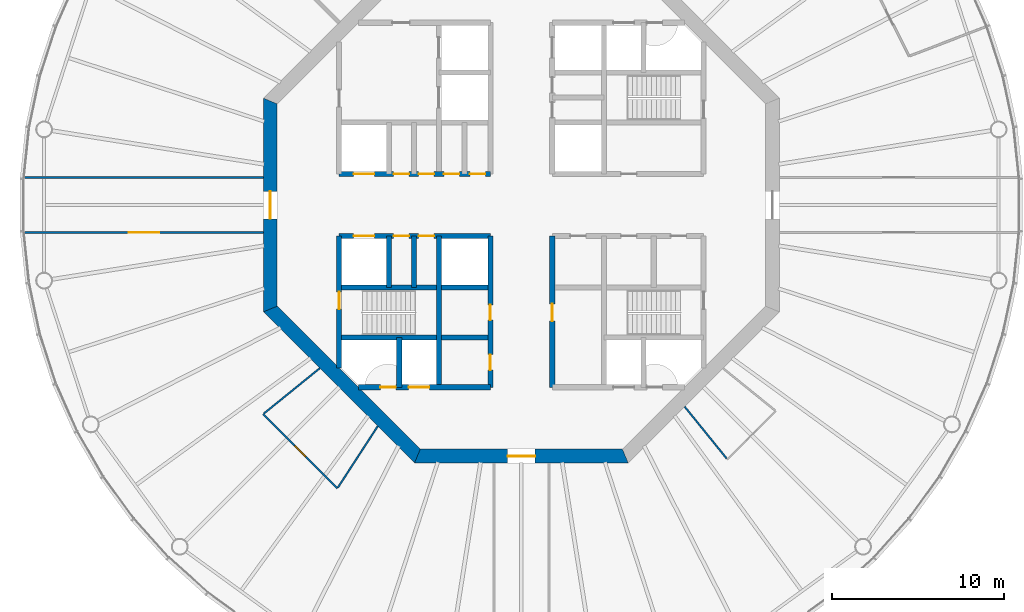
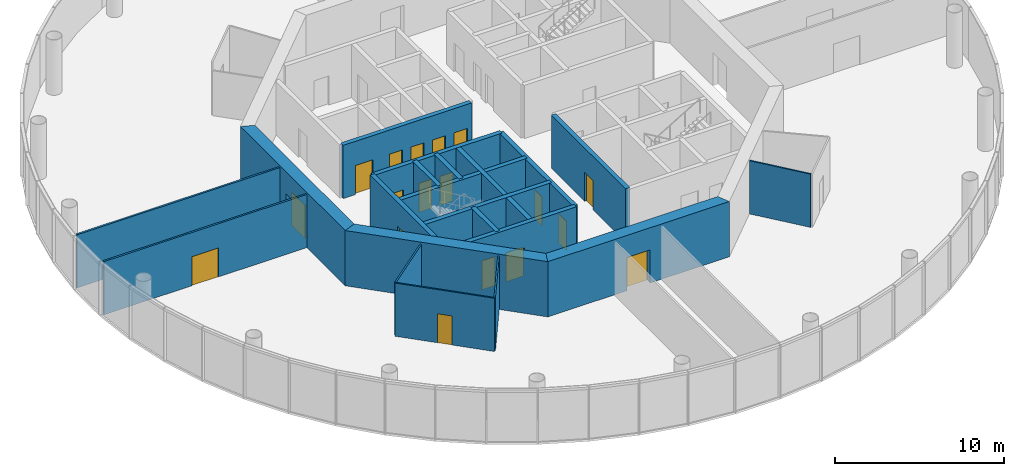
# One storey, part 3 of 12: 21 walls, 18 doors, 18 openings.
"""IFC4 building model written with IfcOpenShell, lengths in metres."""

import ifcopenshell
import ifcopenshell.guid

model = None  # the IFC model being written
_history = None  # IfcOwnerHistory: only IFC2X3 demands one
_inside = {}  # id of a spatial element -> (the spatial element, [elements in it])
_under = {}  # id of a project, library or spatial element -> (it, [spatial elements below it])
_declared = {}  # id of a project -> (the project, [libraries it declares])
_typed = {}  # id of a type object -> (the type object, [elements of that type])
_made_of = {}  # id of a material, layer set ... -> (it, [elements and type objects made of it])


def new_model(schema):
    """Start an empty IFC model of exactly this schema.

    Asked for "IFC4X3", IfcOpenShell would pick the latest addendum, in which some entities
    have other attributes; the version numbers below select the first issue.
    IFC2X3 requires an IfcOwnerHistory on every rooted entity: one is made here for all.
    """
    global model, _history
    if schema == "IFC4X3":
        model = ifcopenshell.file(schema_version=(4, 3, 0, 0))
    else:
        model = ifcopenshell.file(schema=schema)
    _inside.clear()
    _under.clear()
    _declared.clear()
    _typed.clear()
    _made_of.clear()
    _history = None
    if model.schema == "IFC2X3":
        org = make("IfcOrganization", Name="unknown")
        user = make(
            "IfcPersonAndOrganization",
            ThePerson=make("IfcPerson", FamilyName="unknown"),
            TheOrganization=org,
        )
        app = make(
            "IfcApplication",
            ApplicationDeveloper=org,
            Version="unknown",
            ApplicationFullName="unknown",
            ApplicationIdentifier="unknown",
        )
        _history = make(
            "IfcOwnerHistory",
            OwningUser=user,
            OwningApplication=app,
            ChangeAction="ADDED",
            CreationDate=0,
        )
    return model


def make(cls, **values):
    """One entity of the class cls with the attributes given. An attribute that is None is left unset."""
    return model.create_entity(
        cls, **{name: value for name, value in values.items() if value is not None}
    )


def rooted(cls, **values):
    """An entity with a GlobalId (a new one), such as an element, a storey or a relation."""
    return make(cls, GlobalId=ifcopenshell.guid.new(), OwnerHistory=_history, **values)


def si_unit(unit_type, name, prefix=None):
    """IfcSIUnit, for example si_unit("LENGTHUNIT", "METRE", prefix="MILLI")."""
    return make("IfcSIUnit", UnitType=unit_type, Prefix=prefix, Name=name)


def assignment(units):
    """IfcUnitAssignment: the units of a project."""
    return None if units is None else make("IfcUnitAssignment", Units=units)


def point(xyz):
    """IfcCartesianPoint."""
    return None if xyz is None else make("IfcCartesianPoint", Coordinates=xyz)


def direction(xyz):
    """IfcDirection."""
    return None if xyz is None else make("IfcDirection", DirectionRatios=xyz)


def frame(location, z_axis=None, x_axis=None):
    """IfcAxis2Placement3D, a coordinate frame: its origin and axes. An axis left out is left unset."""
    return make(
        "IfcAxis2Placement3D",
        Location=point(location),
        Axis=direction(z_axis),
        RefDirection=direction(x_axis),
    )


def frame_2d(location, x_axis=None):
    """IfcAxis2Placement2D, a coordinate frame in the plane: its origin and x axis."""
    return make(
        "IfcAxis2Placement2D", Location=point(location), RefDirection=direction(x_axis)
    )


def origin():
    """The frame at (0, 0, 0) with its axes left unset."""
    return frame((0.0, 0.0, 0.0))


def place(relative_to, where):
    """IfcLocalPlacement: puts the frame where relative to a parent placement (None: the world)."""
    return make(
        "IfcLocalPlacement", PlacementRelTo=relative_to, RelativePlacement=where
    )


def context(
    kind, dimensions, precision=None, world=None, true_north=None, identifier=None
):
    """IfcGeometricRepresentationContext, for example the 3D "Model" context."""
    return make(
        "IfcGeometricRepresentationContext",
        ContextIdentifier=identifier,
        ContextType=kind,
        CoordinateSpaceDimension=dimensions,
        Precision=precision,
        WorldCoordinateSystem=world,
        TrueNorth=true_north,
    )


def subcontext(parent, identifier, kind, view, scale=None):
    """IfcGeometricRepresentationSubContext, for example "Body" below "Model"."""
    return make(
        "IfcGeometricRepresentationSubContext",
        ContextIdentifier=identifier,
        ContextType=kind,
        ParentContext=parent,
        TargetScale=scale,
        TargetView=view,
    )


def project(units=None, contexts=None):
    """IfcProject with its units and contexts."""
    return rooted(
        "IfcProject",
        Name="project",
        RepresentationContexts=contexts,
        UnitsInContext=assignment(units),
    )


def spatial(cls, under=None, at=None, **own):
    """A site, building, storey or space (cls), placed at a placement, below another one or the project."""
    s = rooted(cls, ObjectPlacement=at, **own)
    if under is not None:
        _under.setdefault(under.id(), (under, []))[1].append(s)
    return s


def polyline(points):
    """IfcPolyline through the points."""
    return make("IfcPolyline", Points=[point(p) for p in points])


def profile(cls, at=None, kind="AREA", **sizes):
    """A parametric profile (cls). Its sizes go by their IFC names, for example OverallWidth=200.0."""
    return make(cls, ProfileType=kind, Position=at, **sizes)


def rectangle(**sizes):
    """IfcRectangleProfileDef."""
    return profile("IfcRectangleProfileDef", **sizes)


def outline(outer, holes=None, kind="AREA"):
    """IfcArbitraryClosedProfileDef: a profile drawn as a closed curve; with holes, ...WithVoids."""
    if holes is None:
        return make("IfcArbitraryClosedProfileDef", ProfileType=kind, OuterCurve=outer)
    return make(
        "IfcArbitraryProfileDefWithVoids",
        ProfileType=kind,
        OuterCurve=outer,
        InnerCurves=holes,
    )


def extrude(swept, where, along, depth):
    """IfcExtrudedAreaSolid: the profile swept, set in the frame where, extruded along a direction by depth."""
    return make(
        "IfcExtrudedAreaSolid",
        SweptArea=swept,
        Position=where,
        ExtrudedDirection=direction(along),
        Depth=depth,
    )


def shape(context_of_items, identifier, shape_type, items):
    """IfcShapeRepresentation: the items that make up one representation, for example the "Body"."""
    return make(
        "IfcShapeRepresentation",
        ContextOfItems=context_of_items,
        RepresentationIdentifier=identifier,
        RepresentationType=shape_type,
        Items=items,
    )


def material(Name=None, Category=None):
    """IfcMaterial."""
    return make("IfcMaterial", Name=Name, Category=Category)


def layer(
    of_material, thickness, ventilated=None, Name=None, Category=None, Priority=None
):
    """IfcMaterialLayer: one layer of a wall or slab, of a material (None: an air gap)."""
    return make(
        "IfcMaterialLayer",
        Material=of_material,
        LayerThickness=thickness,
        IsVentilated=ventilated,
        Name=Name,
        Category=Category,
        Priority=Priority,
    )


def layer_set(layers, Name=None):
    """IfcMaterialLayerSet."""
    return make("IfcMaterialLayerSet", MaterialLayers=layers, LayerSetName=Name)


def made_of(thing, what):
    """Note that an element or type object is made of a material, layer set ...; save() writes the relation."""
    if what is not None:
        _made_of.setdefault(what.id(), (what, []))[1].append(thing)
    return thing


def type_object(cls, material=None, **own):
    """A type object (cls), such as IfcWallType, which elements share."""
    return made_of(rooted(cls, **own), material)


def element(
    cls,
    number,
    at=None,
    inside=None,
    cuts=None,
    type_object=None,
    material=None,
    context=None,
    identifier="Body",
    shape_type=None,
    held_by="IfcProductDefinitionShape",
    body=None,
    shapes=None,
    **own,
):
    """One element of the class cls, such as IfcWall. Its Tag is "e" and its number.

    at: its placement. inside: the storey or other place that contains it. cuts: it is an
    opening in that element (IfcRelVoidsElement). A single representation is given by context,
    identifier, shape_type and body (its items); several are given by shapes. held_by: the class
    of the entity that holds the representations. save() writes the other relations.
    """
    e = rooted(cls, Tag="e%d" % number, ObjectPlacement=at, **own)
    if body is not None:
        shapes = [shape(context, identifier, shape_type, body)]
    if shapes is not None:
        e.Representation = make(held_by, Representations=shapes)
    if inside is not None:
        _inside.setdefault(inside.id(), (inside, []))[1].append(e)
    if cuts is not None:
        rooted(
            "IfcRelVoidsElement", RelatingBuildingElement=cuts, RelatedOpeningElement=e
        )
    if type_object is not None:
        _typed.setdefault(type_object.id(), (type_object, []))[1].append(e)
    return made_of(e, material)


def fill(opening, filler):
    """IfcRelFillsElement: the door or window that sits in an opening."""
    return rooted(
        "IfcRelFillsElement",
        RelatingOpeningElement=opening,
        RelatedBuildingElement=filler,
    )


def aggregate(whole, parts):
    """IfcRelAggregates: a whole, such as a stair, and the parts it consists of."""
    return rooted("IfcRelAggregates", RelatingObject=whole, RelatedObjects=parts)


def save(model, path):
    """Write the relations noted so far, then the file.

    IfcRelAggregates (storeys below a building ...), IfcRelContainedInSpatialStructure (elements
    in a storey), IfcRelDefinesByType, IfcRelAssociatesMaterial and IfcRelDeclares: one each for
    every whole, place, type object, material and project.
    """
    for whole, parts in _under.values():
        aggregate(whole, parts)
    for where, things in _inside.values():
        rooted(
            "IfcRelContainedInSpatialStructure",
            RelatedElements=things,
            RelatingStructure=where,
        )
    for kind, things in _typed.values():
        rooted("IfcRelDefinesByType", RelatedObjects=things, RelatingType=kind)
    for what, things in _made_of.values():
        rooted("IfcRelAssociatesMaterial", RelatedObjects=things, RelatingMaterial=what)
    for by, libraries in _declared.values():
        rooted("IfcRelDeclares", RelatingContext=by, RelatedDefinitions=libraries)
    model.write(path)


model = new_model("IFC4")

# Units and contexts
model_context = context("Model", 3, precision=1e-05, world=origin(), true_north=direction((0.0, 1.0)))
body_context = subcontext(model_context, "Body", "Model", "MODEL_VIEW")
ifc_project = project(units=[si_unit("LENGTHUNIT", "METRE"), si_unit("AREAUNIT", "SQUARE_METRE"), si_unit("VOLUMEUNIT", "CUBIC_METRE"), si_unit("PLANEANGLEUNIT", "RADIAN"), si_unit("MASSUNIT", "GRAM", prefix="KILO")], contexts=[model_context])

# Site, building, storey
site_placement = place(None, origin())
site = spatial("IfcSite", under=ifc_project, at=site_placement, CompositionType="ELEMENT")
building_placement = place(site_placement, origin())
building = spatial("IfcBuilding", under=site, at=building_placement, Name="Entoto Ring Tower", CompositionType="ELEMENT")
storey_placement = place(building_placement, frame((0.0, 0.0, 322.0)))
storey = spatial("IfcBuildingStorey", under=building, at=storey_placement, Name="L74", CompositionType="ELEMENT", Elevation=322.0)

# Wall, opening, door
ifc_material_1 = material(Name="Concrete C40/50", Category="concrete")
ifc_layer_1 = layer(ifc_material_1, 0.300048828125)
ifc_layer_set_1 = layer_set([ifc_layer_1], Name="Concrete C40/50")
wall_type_1 = type_object("IfcWallType", Name="Core enclosure wall 300 mm reinforced concrete", PredefinedType="SOLIDWALL", material=ifc_layer_set_1)
wall_1_placement = place(storey_placement, frame((91.800048828125, 69.39990234375, 0.0), z_axis=(0.0, 0.0, 1.0), x_axis=(0.0, 1.0, 0.0)))
wall_1 = element("IfcWall", 1, at=wall_1_placement, inside=storey, type_object=wall_type_1, Name="wall-L74-008", PredefinedType="SOLIDWALL", context=body_context, shape_type="SweptSolid", body=[
    extrude(rectangle(XDim=8.800048828125, YDim=0.300048828125, at=frame_2d((4.39990234375, 0.0))), origin(), (0.0, 0.0, 1.0), 3.85009765625),
])
opening_1_placement = place(wall_1_placement, frame((3.85009765625, 0.0, 0.0)))
opening_1 = element("IfcOpeningElement", 2, at=opening_1_placement, cuts=wall_1, Name="Opening K-64", PredefinedType="OPENING", context=body_context, shape_type="SweptSolid", body=[
    extrude(rectangle(XDim=1.0, YDim=2.10009765625, at=frame_2d((0.5, 1.050048828125))), frame((0.0, 0.16015625, 0.0), z_axis=(0.0, -1.0, 0.0), x_axis=(1.0, 0.0, 0.0)), (0.0, 0.0, 1.0), 0.320068359375),
])
ifc_material_2 = material(Name="Steel door leaf, fire rated", Category="steel")
ifc_layer_2 = layer(ifc_material_2, 0.050048828125)
ifc_layer_set_2 = layer_set([ifc_layer_2], Name="Steel door leaf, fire rated")
door_type_1 = type_object("IfcDoorType", Name="Accessible door 1000 x 2100 single leaf", OperationType="NOTDEFINED", PredefinedType="DOOR", material=ifc_layer_set_2)
door_1_placement = place(opening_1_placement, frame((1.0, 0.0, 0.0), z_axis=(0.0, 0.0, 1.0), x_axis=(-1.0, 0.0, 0.0)))
door_1 = element("IfcDoor", 3, at=door_1_placement, inside=storey, type_object=door_type_1, Name="Door K-64", OperationType="SINGLE_SWING_LEFT", OverallHeight=2.10009765625, OverallWidth=1.0, PredefinedType="DOOR", context=body_context, shape_type="SweptSolid", body=[
    extrude(rectangle(XDim=1.0, YDim=2.10009765625, at=frame_2d((0.5, 1.050048828125))), frame((0.0, 0.02490234375, 0.0), z_axis=(0.0, -1.0, 0.0), x_axis=(1.0, 0.0, 0.0)), (0.0, 0.0, 1.0), 0.050048828125),
])
fill(opening_1, door_1)

# Wall, openings, doors
wall_2_placement = place(storey_placement, frame((88.199951171875, 69.39990234375, 0.0), z_axis=(0.0, 0.0, 1.0), x_axis=(0.0, 1.0, 0.0)))
wall_2 = element("IfcWall", 4, at=wall_2_placement, inside=storey, type_object=wall_type_1, Name="wall-L74-010", PredefinedType="SOLIDWALL", context=body_context, shape_type="SweptSolid", body=[
    extrude(rectangle(XDim=8.800048828125, YDim=0.300048828125, at=frame_2d((4.39990234375, 0.0))), origin(), (0.0, 0.0, 1.0), 3.85009765625),
])
opening_2_placement = place(wall_2_placement, frame((3.89990234375, 0.0, 0.0)))
opening_2 = element("IfcOpeningElement", 5, at=opening_2_placement, cuts=wall_2, Name="Opening K-21", PredefinedType="OPENING", context=body_context, shape_type="SweptSolid", body=[
    extrude(rectangle(XDim=0.89990234375, YDim=2.10009765625, at=frame_2d((0.449951171875, 1.050048828125))), frame((0.0, 0.16015625, 0.0), z_axis=(0.0, -1.0, 0.0), x_axis=(1.0, 0.0, 0.0)), (0.0, 0.0, 1.0), 0.320068359375),
])
opening_3_placement = place(wall_2_placement, frame((1.0, 0.0, 0.0)))
opening_3 = element("IfcOpeningElement", 6, at=opening_3_placement, cuts=wall_2, Name="Opening K-69", PredefinedType="OPENING", context=body_context, shape_type="SweptSolid", body=[
    extrude(rectangle(XDim=0.89990234375, YDim=2.10009765625, at=frame_2d((0.449951171875, 1.050048828125))), frame((0.0, 0.16015625, 0.0), z_axis=(0.0, -1.0, 0.0), x_axis=(1.0, 0.0, 0.0)), (0.0, 0.0, 1.0), 0.320068359375),
])
ifc_material_3 = material(Name="Steel door leaf, fire rated", Category="steel")
ifc_layer_3 = layer(ifc_material_3, 0.050048828125)
ifc_layer_set_3 = layer_set([ifc_layer_3], Name="Steel door leaf, fire rated")
door_type_2 = type_object("IfcDoorType", Name="Core door 900 x 2100 single leaf", OperationType="NOTDEFINED", PredefinedType="DOOR", material=ifc_layer_set_3)
door_2_placement = place(opening_2_placement, origin())
door_2 = element("IfcDoor", 7, at=door_2_placement, inside=storey, type_object=door_type_2, Name="Door K-21", OperationType="SINGLE_SWING_RIGHT", OverallHeight=2.10009765625, OverallWidth=0.89990234375, PredefinedType="DOOR", context=body_context, shape_type="SweptSolid", body=[
    extrude(rectangle(XDim=0.89990234375, YDim=2.10009765625, at=frame_2d((0.449951171875, 1.050048828125))), frame((0.0, 0.02490234375, 0.0), z_axis=(0.0, -1.0, 0.0), x_axis=(1.0, 0.0, 0.0)), (0.0, 0.0, 1.0), 0.050048828125),
])
fill(opening_2, door_2)
door_3_placement = place(opening_3_placement, origin())
door_3 = element("IfcDoor", 8, at=door_3_placement, inside=storey, type_object=door_type_2, Name="Door K-69", OperationType="SINGLE_SWING_RIGHT", OverallHeight=2.10009765625, OverallWidth=0.89990234375, PredefinedType="DOOR", context=body_context, shape_type="SweptSolid", body=[
    extrude(rectangle(XDim=0.89990234375, YDim=2.10009765625, at=frame_2d((0.449951171875, 1.050048828125))), frame((0.0, 0.02490234375, 0.0), z_axis=(0.0, -1.0, 0.0), x_axis=(1.0, 0.0, 0.0)), (0.0, 0.0, 1.0), 0.050048828125),
])
fill(opening_3, door_3)

# Walls
wall_3_placement = place(storey_placement, frame((85.199951171875, 69.39990234375, 0.0), z_axis=(0.0, 0.0, 1.0), x_axis=(0.0, 1.0, 0.0)))
element("IfcWall", 9, at=wall_3_placement, inside=storey, type_object=wall_type_1, Name="wall-L74-013", PredefinedType="SOLIDWALL", context=body_context, shape_type="SweptSolid", body=[
    extrude(rectangle(XDim=8.800048828125, YDim=0.300048828125, at=frame_2d((4.39990234375, 0.0))), origin(), (0.0, 0.0, 1.0), 3.85009765625),
])
wall_4_placement = place(storey_placement, frame((83.75, 75.199951171875, 0.0), z_axis=(0.0, 0.0, 1.0), x_axis=(0.0, 1.0, 0.0)))
element("IfcWall", 10, at=wall_4_placement, inside=storey, type_object=wall_type_1, Name="wall-L74-015", PredefinedType="SOLIDWALL", context=body_context, shape_type="SweptSolid", body=[
    extrude(rectangle(XDim=3.0, YDim=0.300048828125, at=frame_2d((1.5, 0.0))), origin(), (0.0, 0.0, 1.0), 3.85009765625),
])
wall_5_placement = place(storey_placement, frame((82.89990234375, 69.39990234375, 0.0), z_axis=(0.0, 0.0, 1.0), x_axis=(0.0, 1.0, 0.0)))
element("IfcWall", 11, at=wall_5_placement, inside=storey, type_object=wall_type_1, Name="wall-L74-017", PredefinedType="SOLIDWALL", context=body_context, shape_type="SweptSolid", body=[
    extrude(rectangle(XDim=2.900146484375, YDim=0.300048828125, at=frame_2d((1.4501953125, 0.0))), origin(), (0.0, 0.0, 1.0), 3.85009765625),
])
wall_6_placement = place(storey_placement, frame((82.300048828125, 75.199951171875, 0.0), z_axis=(0.0, 0.0, 1.0), x_axis=(0.0, 1.0, 0.0)))
element("IfcWall", 12, at=wall_6_placement, inside=storey, type_object=wall_type_1, Name="wall-L74-018", PredefinedType="SOLIDWALL", context=body_context, shape_type="SweptSolid", body=[
    extrude(rectangle(XDim=3.0, YDim=0.300048828125, at=frame_2d((1.5, 0.0))), origin(), (0.0, 0.0, 1.0), 3.85009765625),
])

# Wall, opening, door
wall_7_placement = place(storey_placement, frame((79.39990234375, 70.518310546875, 0.0), z_axis=(0.0, 0.0, 1.0), x_axis=(0.0, 1.0, 0.0)))
wall_7 = element("IfcWall", 13, at=wall_7_placement, inside=storey, type_object=wall_type_1, Name="wall-L74-020", PredefinedType="SOLIDWALL", context=body_context, shape_type="SweptSolid", body=[
    extrude(rectangle(XDim=7.681640625, YDim=0.300048828125, at=frame_2d((3.8408203125, 0.0))), origin(), (0.0, 0.0, 1.0), 3.85009765625),
])
opening_4_placement = place(wall_7_placement, frame((3.431884765625, 0.0, 0.0)))
opening_4 = element("IfcOpeningElement", 14, at=opening_4_placement, cuts=wall_7, Name="Opening K-27", PredefinedType="OPENING", context=body_context, shape_type="SweptSolid", body=[
    extrude(rectangle(XDim=1.0, YDim=2.10009765625, at=frame_2d((0.5, 1.050048828125))), frame((0.0, 0.16015625, 0.0), z_axis=(0.0, -1.0, 0.0), x_axis=(1.0, 0.0, 0.0)), (0.0, 0.0, 1.0), 0.320068359375),
])
ifc_material_4 = material(Name="Steel door leaf, fire rated", Category="steel")
ifc_layer_4 = layer(ifc_material_4, 0.050048828125)
ifc_layer_set_4 = layer_set([ifc_layer_4], Name="Steel door leaf, fire rated")
door_type_3 = type_object("IfcDoorType", Name="Fire door FD60 1000 x 2100 single leaf", OperationType="NOTDEFINED", PredefinedType="DOOR", material=ifc_layer_set_4)
door_4_placement = place(opening_4_placement, frame((1.0, 0.0, 0.0), z_axis=(0.0, 0.0, 1.0), x_axis=(-1.0, 0.0, 0.0)))
door_4 = element("IfcDoor", 15, at=door_4_placement, inside=storey, type_object=door_type_3, Name="Door K-27", OperationType="SINGLE_SWING_LEFT", OverallHeight=2.10009765625, OverallWidth=1.0, PredefinedType="DOOR", context=body_context, shape_type="SweptSolid", body=[
    extrude(rectangle(XDim=1.0, YDim=2.10009765625, at=frame_2d((0.5, 1.050048828125))), frame((0.0, 0.02490234375, 0.0), z_axis=(0.0, -1.0, 0.0), x_axis=(1.0, 0.0, 0.0)), (0.0, 0.0, 1.0), 0.050048828125),
])
fill(opening_4, door_4)

# Wall, openings, doors
wall_8_placement = place(storey_placement, frame((80.518310546875, 69.39990234375, 0.0), z_axis=(0.0, 0.0, 1.0), x_axis=(1.0, 0.0, 0.0)))
wall_8 = element("IfcWall", 16, at=wall_8_placement, inside=storey, type_object=wall_type_1, Name="wall-L74-022", PredefinedType="SOLIDWALL", context=body_context, shape_type="SweptSolid", body=[
    extrude(rectangle(XDim=7.681640625, YDim=0.300048828125, at=frame_2d((3.8408203125, 0.0))), origin(), (0.0, 0.0, 1.0), 3.85009765625),
])
opening_5_placement = place(wall_8_placement, frame((2.931884765625, 0.0, 0.0)))
opening_5 = element("IfcOpeningElement", 17, at=opening_5_placement, cuts=wall_8, Name="Opening LD", PredefinedType="OPENING", context=body_context, shape_type="SweptSolid", body=[
    extrude(rectangle(XDim=1.199951171875, YDim=2.10009765625, at=frame_2d((0.60009765625, 1.050048828125))), frame((0.0, 0.16015625, 0.0), z_axis=(0.0, -1.0, 0.0), x_axis=(1.0, 0.0, 0.0)), (0.0, 0.0, 1.0), 0.320068359375),
])
opening_6_placement = place(wall_8_placement, frame((1.28173828125, 0.0, 0.0)))
opening_6 = element("IfcOpeningElement", 18, at=opening_6_placement, cuts=wall_8, Name="Opening K-84", PredefinedType="OPENING", context=body_context, shape_type="SweptSolid", body=[
    extrude(rectangle(XDim=0.89990234375, YDim=2.10009765625, at=frame_2d((0.449951171875, 1.050048828125))), frame((0.0, 0.16015625, 0.0), z_axis=(0.0, -1.0, 0.0), x_axis=(1.0, 0.0, 0.0)), (0.0, 0.0, 1.0), 0.320068359375),
])
ifc_material_5 = material(Name="Steel and glass door leaf", Category="steel")
ifc_layer_5 = layer(ifc_material_5, 0.050048828125)
ifc_layer_set_5 = layer_set([ifc_layer_5], Name="Steel and glass door leaf")
door_type_4 = type_object("IfcDoorType", Name="Landing door 1200 x 2100 sliding", OperationType="DOUBLE_DOOR_SLIDING", PredefinedType="DOOR", material=ifc_layer_set_5)
door_5_placement = place(opening_5_placement, origin())
door_5 = element("IfcDoor", 19, at=door_5_placement, inside=storey, type_object=door_type_4, Name="Landing door LB3-HR", OperationType="SLIDING_TO_RIGHT", OverallHeight=2.10009765625, OverallWidth=1.199951171875, PredefinedType="DOOR", context=body_context, shape_type="SweptSolid", body=[
    extrude(rectangle(XDim=1.199951171875, YDim=2.10009765625, at=frame_2d((0.60009765625, 1.050048828125))), frame((0.0, 0.02490234375, 0.0), z_axis=(0.0, -1.0, 0.0), x_axis=(1.0, 0.0, 0.0)), (0.0, 0.0, 1.0), 0.050048828125),
])
fill(opening_5, door_5)
ifc_material_6 = material(Name="Steel door leaf, fire rated", Category="steel")
ifc_layer_6 = layer(ifc_material_6, 0.050048828125)
ifc_layer_set_6 = layer_set([ifc_layer_6], Name="Steel door leaf, fire rated")
door_type_5 = type_object("IfcDoorType", Name="Riser door FD60 900 x 2100 single leaf", OperationType="NOTDEFINED", PredefinedType="DOOR", material=ifc_layer_set_6)
door_6_placement = place(opening_6_placement, origin())
door_6 = element("IfcDoor", 20, at=door_6_placement, inside=storey, type_object=door_type_5, Name="Door K-84", OperationType="SINGLE_SWING_RIGHT", OverallHeight=2.10009765625, OverallWidth=0.89990234375, PredefinedType="DOOR", context=body_context, shape_type="SweptSolid", body=[
    extrude(rectangle(XDim=0.89990234375, YDim=2.10009765625, at=frame_2d((0.449951171875, 1.050048828125))), frame((0.0, 0.02490234375, 0.0), z_axis=(0.0, -1.0, 0.0), x_axis=(1.0, 0.0, 0.0)), (0.0, 0.0, 1.0), 0.050048828125),
])
fill(opening_6, door_6)

# Walls
for number, where, z_axis, x_axis, name in (
    (21, (79.39990234375, 72.300048828125, 0.0), (0.0, 0.0, 1.0), (1.0, 0.0, 0.0), "wall-L74-024"),
    (22, (79.39990234375, 75.199951171875, 0.0), (0.0, 0.0, 1.0), (1.0, 0.0, 0.0), "wall-L74-026"),
):
    element("IfcWall", number, at=place(storey_placement, frame(where, z_axis=z_axis, x_axis=x_axis)), inside=storey, type_object=wall_type_1, Name=name, PredefinedType="SOLIDWALL", context=body_context, shape_type="SweptSolid", body=[
        extrude(rectangle(XDim=8.800048828125, YDim=0.300048828125, at=frame_2d((4.39990234375, 0.0))), origin(), (0.0, 0.0, 1.0), 3.85009765625),
    ])

# Wall, openings, doors
wall_9_placement = place(storey_placement, frame((79.39990234375, 78.199951171875, 0.0), z_axis=(0.0, 0.0, 1.0), x_axis=(1.0, 0.0, 0.0)))
wall_9 = element("IfcWall", 23, at=wall_9_placement, inside=storey, type_object=wall_type_1, Name="wall-L74-028", PredefinedType="SOLIDWALL", context=body_context, shape_type="SweptSolid", body=[
    extrude(rectangle(XDim=8.800048828125, YDim=0.300048828125, at=frame_2d((4.39990234375, 0.0))), origin(), (0.0, 0.0, 1.0), 3.85009765625),
])
opening_7_placement = place(wall_9_placement, frame((0.85009765625, 0.0, 0.0)))
opening_7 = element("IfcOpeningElement", 24, at=opening_7_placement, cuts=wall_9, Name="Opening LD", PredefinedType="OPENING", context=body_context, shape_type="SweptSolid", body=[
    extrude(rectangle(XDim=1.199951171875, YDim=2.10009765625, at=frame_2d((0.60009765625, 1.050048828125))), frame((0.0, 0.16015625, 0.0), z_axis=(0.0, -1.0, 0.0), x_axis=(1.0, 0.0, 0.0)), (0.0, 0.0, 1.0), 0.320068359375),
])
opening_8_placement = place(wall_9_placement, frame((3.175048828125, 0.0, 0.0)))
opening_8 = element("IfcOpeningElement", 25, at=opening_8_placement, cuts=wall_9, Name="Opening K-16", PredefinedType="OPENING", context=body_context, shape_type="SweptSolid", body=[
    extrude(rectangle(XDim=0.89990234375, YDim=2.10009765625, at=frame_2d((0.449951171875, 1.050048828125))), frame((0.0, 0.16015625, 0.0), z_axis=(0.0, -1.0, 0.0), x_axis=(1.0, 0.0, 0.0)), (0.0, 0.0, 1.0), 0.320068359375),
])
opening_9_placement = place(wall_9_placement, frame((4.625, 0.0, 0.0)))
opening_9 = element("IfcOpeningElement", 26, at=opening_9_placement, cuts=wall_9, Name="Opening K-57", PredefinedType="OPENING", context=body_context, shape_type="SweptSolid", body=[
    extrude(rectangle(XDim=0.89990234375, YDim=2.10009765625, at=frame_2d((0.449951171875, 1.050048828125))), frame((0.0, 0.16015625, 0.0), z_axis=(0.0, -1.0, 0.0), x_axis=(1.0, 0.0, 0.0)), (0.0, 0.0, 1.0), 0.320068359375),
])
door_7_placement = place(opening_8_placement, frame((0.89990234375, 0.0, 0.0), z_axis=(0.0, 0.0, 1.0), x_axis=(-1.0, 0.0, 0.0)))
door_7 = element("IfcDoor", 27, at=door_7_placement, inside=storey, type_object=door_type_2, Name="Door K-16", OperationType="SINGLE_SWING_LEFT", OverallHeight=2.10009765625, OverallWidth=0.89990234375, PredefinedType="DOOR", context=body_context, shape_type="SweptSolid", body=[
    extrude(rectangle(XDim=0.89990234375, YDim=2.10009765625, at=frame_2d((0.449951171875, 1.050048828125))), frame((0.0, 0.02490234375, 0.0), z_axis=(0.0, -1.0, 0.0), x_axis=(1.0, 0.0, 0.0)), (0.0, 0.0, 1.0), 0.050048828125),
])
fill(opening_8, door_7)
door_8_placement = place(opening_9_placement, frame((0.89990234375, 0.0, 0.0), z_axis=(0.0, 0.0, 1.0), x_axis=(-1.0, 0.0, 0.0)))
door_8 = element("IfcDoor", 28, at=door_8_placement, inside=storey, type_object=door_type_2, Name="Door K-57", OperationType="SINGLE_SWING_LEFT", OverallHeight=2.10009765625, OverallWidth=0.89990234375, PredefinedType="DOOR", context=body_context, shape_type="SweptSolid", body=[
    extrude(rectangle(XDim=0.89990234375, YDim=2.10009765625, at=frame_2d((0.449951171875, 1.050048828125))), frame((0.0, 0.02490234375, 0.0), z_axis=(0.0, -1.0, 0.0), x_axis=(1.0, 0.0, 0.0)), (0.0, 0.0, 1.0), 0.050048828125),
])
fill(opening_9, door_8)
door_9_placement = place(opening_7_placement, origin())
door_9 = element("IfcDoor", 29, at=door_9_placement, inside=storey, type_object=door_type_4, Name="Landing door SH2", OperationType="SLIDING_TO_RIGHT", OverallHeight=2.10009765625, OverallWidth=1.199951171875, PredefinedType="DOOR", context=body_context, shape_type="SweptSolid", body=[
    extrude(rectangle(XDim=1.199951171875, YDim=2.10009765625, at=frame_2d((0.60009765625, 1.050048828125))), frame((0.0, 0.02490234375, 0.0), z_axis=(0.0, -1.0, 0.0), x_axis=(1.0, 0.0, 0.0)), (0.0, 0.0, 1.0), 0.050048828125),
])
fill(opening_7, door_9)

wall_10_placement = place(storey_placement, frame((79.39990234375, 81.800048828125, 0.0), z_axis=(0.0, 0.0, 1.0), x_axis=(1.0, 0.0, 0.0)))
wall_10 = element("IfcWall", 30, at=wall_10_placement, inside=storey, type_object=wall_type_1, Name="wall-L74-030", PredefinedType="SOLIDWALL", context=body_context, shape_type="SweptSolid", body=[
    extrude(rectangle(XDim=8.800048828125, YDim=0.300048828125, at=frame_2d((4.39990234375, 0.0))), origin(), (0.0, 0.0, 1.0), 3.85009765625),
])
opening_10_placement = place(wall_10_placement, frame((0.85009765625, 0.0, 0.0)))
opening_10 = element("IfcOpeningElement", 31, at=opening_10_placement, cuts=wall_10, Name="Opening LD", PredefinedType="OPENING", context=body_context, shape_type="SweptSolid", body=[
    extrude(rectangle(XDim=1.199951171875, YDim=2.10009765625, at=frame_2d((0.60009765625, 1.050048828125))), frame((0.0, 0.16015625, 0.0), z_axis=(0.0, -1.0, 0.0), x_axis=(1.0, 0.0, 0.0)), (0.0, 0.0, 1.0), 0.320068359375),
])
opening_11_placement = place(wall_10_placement, frame((3.175048828125, 0.0, 0.0)))
opening_11 = element("IfcOpeningElement", 32, at=opening_11_placement, cuts=wall_10, Name="Opening K-12", PredefinedType="OPENING", context=body_context, shape_type="SweptSolid", body=[
    extrude(rectangle(XDim=0.89990234375, YDim=2.10009765625, at=frame_2d((0.449951171875, 1.050048828125))), frame((0.0, 0.16015625, 0.0), z_axis=(0.0, -1.0, 0.0), x_axis=(1.0, 0.0, 0.0)), (0.0, 0.0, 1.0), 0.320068359375),
])
opening_12_placement = place(wall_10_placement, frame((4.625, 0.0, 0.0)))
opening_12 = element("IfcOpeningElement", 33, at=opening_12_placement, cuts=wall_10, Name="Opening K-46", PredefinedType="OPENING", context=body_context, shape_type="SweptSolid", body=[
    extrude(rectangle(XDim=0.89990234375, YDim=2.10009765625, at=frame_2d((0.449951171875, 1.050048828125))), frame((0.0, 0.16015625, 0.0), z_axis=(0.0, -1.0, 0.0), x_axis=(1.0, 0.0, 0.0)), (0.0, 0.0, 1.0), 0.320068359375),
])
opening_13_placement = place(wall_10_placement, frame((6.10009765625, 0.0, 0.0)))
opening_13 = element("IfcOpeningElement", 34, at=opening_13_placement, cuts=wall_10, Name="Opening K-71", PredefinedType="OPENING", context=body_context, shape_type="SweptSolid", body=[
    extrude(rectangle(XDim=0.89990234375, YDim=2.10009765625, at=frame_2d((0.449951171875, 1.050048828125))), frame((0.0, 0.16015625, 0.0), z_axis=(0.0, -1.0, 0.0), x_axis=(1.0, 0.0, 0.0)), (0.0, 0.0, 1.0), 0.320068359375),
])
opening_14_placement = place(wall_10_placement, frame((7.60009765625, 0.0, 0.0)))
opening_14 = element("IfcOpeningElement", 35, at=opening_14_placement, cuts=wall_10, Name="Opening K-24", PredefinedType="OPENING", context=body_context, shape_type="SweptSolid", body=[
    extrude(rectangle(XDim=0.89990234375, YDim=2.10009765625, at=frame_2d((0.449951171875, 1.050048828125))), frame((0.0, 0.16015625, 0.0), z_axis=(0.0, -1.0, 0.0), x_axis=(1.0, 0.0, 0.0)), (0.0, 0.0, 1.0), 0.320068359375),
])
door_10_placement = place(opening_11_placement, origin())
door_10 = element("IfcDoor", 36, at=door_10_placement, inside=storey, type_object=door_type_2, Name="Door K-12", OperationType="SINGLE_SWING_RIGHT", OverallHeight=2.10009765625, OverallWidth=0.89990234375, PredefinedType="DOOR", context=body_context, shape_type="SweptSolid", body=[
    extrude(rectangle(XDim=0.89990234375, YDim=2.10009765625, at=frame_2d((0.449951171875, 1.050048828125))), frame((0.0, 0.02490234375, 0.0), z_axis=(0.0, -1.0, 0.0), x_axis=(1.0, 0.0, 0.0)), (0.0, 0.0, 1.0), 0.050048828125),
])
fill(opening_11, door_10)
door_11_placement = place(opening_12_placement, origin())
door_11 = element("IfcDoor", 37, at=door_11_placement, inside=storey, type_object=door_type_2, Name="Door K-46", OperationType="SINGLE_SWING_RIGHT", OverallHeight=2.10009765625, OverallWidth=0.89990234375, PredefinedType="DOOR", context=body_context, shape_type="SweptSolid", body=[
    extrude(rectangle(XDim=0.89990234375, YDim=2.10009765625, at=frame_2d((0.449951171875, 1.050048828125))), frame((0.0, 0.02490234375, 0.0), z_axis=(0.0, -1.0, 0.0), x_axis=(1.0, 0.0, 0.0)), (0.0, 0.0, 1.0), 0.050048828125),
])
fill(opening_12, door_11)
door_12_placement = place(opening_13_placement, origin())
door_12 = element("IfcDoor", 38, at=door_12_placement, inside=storey, type_object=door_type_2, Name="Door K-71", OperationType="SINGLE_SWING_LEFT", OverallHeight=2.10009765625, OverallWidth=0.89990234375, PredefinedType="DOOR", context=body_context, shape_type="SweptSolid", body=[
    extrude(rectangle(XDim=0.89990234375, YDim=2.10009765625, at=frame_2d((0.449951171875, 1.050048828125))), frame((0.0, 0.02490234375, 0.0), z_axis=(0.0, -1.0, 0.0), x_axis=(1.0, 0.0, 0.0)), (0.0, 0.0, 1.0), 0.050048828125),
])
fill(opening_13, door_12)
door_13_placement = place(opening_14_placement, origin())
door_13 = element("IfcDoor", 39, at=door_13_placement, inside=storey, type_object=door_type_2, Name="Door K-24", OperationType="SINGLE_SWING_LEFT", OverallHeight=2.10009765625, OverallWidth=0.89990234375, PredefinedType="DOOR", context=body_context, shape_type="SweptSolid", body=[
    extrude(rectangle(XDim=0.89990234375, YDim=2.10009765625, at=frame_2d((0.449951171875, 1.050048828125))), frame((0.0, 0.02490234375, 0.0), z_axis=(0.0, -1.0, 0.0), x_axis=(1.0, 0.0, 0.0)), (0.0, 0.0, 1.0), 0.050048828125),
])
fill(opening_14, door_13)
door_14_placement = place(opening_10_placement, origin())
door_14 = element("IfcDoor", 40, at=door_14_placement, inside=storey, type_object=door_type_4, Name="Landing door SH1", OperationType="SLIDING_TO_RIGHT", OverallHeight=2.10009765625, OverallWidth=1.199951171875, PredefinedType="DOOR", context=body_context, shape_type="SweptSolid", body=[
    extrude(rectangle(XDim=1.199951171875, YDim=2.10009765625, at=frame_2d((0.60009765625, 1.050048828125))), frame((0.0, 0.02490234375, 0.0), z_axis=(0.0, -1.0, 0.0), x_axis=(1.0, 0.0, 0.0)), (0.0, 0.0, 1.0), 0.050048828125),
])
fill(opening_10, door_14)

# Wall, opening, door
ifc_material_7 = material(Name="Concrete C40/50", Category="concrete")
ifc_layer_7 = layer(ifc_material_7, 0.800048828125)
ifc_layer_set_7 = layer_set([ifc_layer_7], Name="Concrete C40/50")
wall_type_2 = type_object("IfcWallType", Name="Core shear wall 800 mm reinforced concrete C40/50", PredefinedType="SHEAR", material=ifc_layer_set_7)
wall_11_placement = place(storey_placement, frame((75.39990234375, 86.047607421875, 0.0), z_axis=(0.0, 0.0, 1.0), x_axis=(0.0, -1.0, 0.0)))
wall_11 = element("IfcWall", 41, at=wall_11_placement, inside=storey, type_object=wall_type_2, Name="wall-L74-core-4", PredefinedType="SHEAR", context=body_context, shape_type="SweptSolid", body=[
    extrude(outline(polyline([(-0.165771484375, -0.39990234375), (12.260986328125, -0.39990234375), (11.929443359375, 0.39990234375), (0.165771484375, 0.39990234375), (-0.165771484375, -0.39990234375)])), origin(), (0.0, 0.0, 1.0), 4.0),
])
opening_15_placement = place(wall_11_placement, frame((5.24755859375, 0.0, 0.0)))
opening_15 = element("IfcOpeningElement", 42, at=opening_15_placement, cuts=wall_11, Name="Opening K-03", PredefinedType="OPENING", context=body_context, shape_type="SweptSolid", body=[
    extrude(rectangle(XDim=1.60009765625, YDim=2.39990234375, at=frame_2d((0.800048828125, 1.199951171875))), frame((0.0, 0.41015625, 0.0), z_axis=(0.0, -1.0, 0.0), x_axis=(1.0, 0.0, 0.0)), (0.0, 0.0, 1.0), 0.820068359375),
])
ifc_material_8 = material(Name="Steel door leaf, fire rated", Category="steel")
ifc_layer_8 = layer(ifc_material_8, 0.050048828125)
ifc_layer_set_8 = layer_set([ifc_layer_8], Name="Steel door leaf, fire rated")
door_type_6 = type_object("IfcDoorType", Name="Entrance door FD60 1600 x 2400 double leaf", OperationType="DOUBLE_DOOR_SINGLE_SWING", PredefinedType="DOOR", material=ifc_layer_set_8)
door_15_placement = place(opening_15_placement, origin())
door_15 = element("IfcDoor", 43, at=door_15_placement, inside=storey, type_object=door_type_6, Name="Entrance door K-03", OperationType="DOUBLE_DOOR_SINGLE_SWING", OverallHeight=2.39990234375, OverallWidth=1.60009765625, PredefinedType="DOOR", context=body_context, shape_type="SweptSolid", body=[
    extrude(rectangle(XDim=1.60009765625, YDim=2.39990234375, at=frame_2d((0.800048828125, 1.199951171875))), frame((0.0, 0.02490234375, 0.0), z_axis=(0.0, -1.0, 0.0), x_axis=(1.0, 0.0, 0.0)), (0.0, 0.0, 1.0), 0.050048828125),
])
fill(opening_15, door_15)

# Wall
wall_12_placement = place(storey_placement, frame((75.39990234375, 73.952392578125, 0.0), z_axis=(0.0, 0.0, 1.0), x_axis=(0.707106781187, -0.707106781187, 0.0)))
element("IfcWall", 44, at=wall_12_placement, inside=storey, type_object=wall_type_2, Name="wall-L74-core-5", PredefinedType="SHEAR", context=body_context, shape_type="SweptSolid", body=[
    extrude(outline(polyline([(-0.165771484375, -0.39990234375), (12.2607421875, -0.39990234375), (11.92919921875, 0.39990234375), (0.165771484375, 0.39990234375), (-0.165771484375, -0.39990234375)])), origin(), (0.0, 0.0, 1.0), 4.0),
])

# Wall, opening, door
wall_13_placement = place(storey_placement, frame((83.952392578125, 65.39990234375, 0.0), z_axis=(0.0, 0.0, 1.0), x_axis=(1.0, 0.0, 0.0)))
wall_13 = element("IfcWall", 45, at=wall_13_placement, inside=storey, type_object=wall_type_2, Name="wall-L74-core-6", PredefinedType="SHEAR", context=body_context, shape_type="SweptSolid", body=[
    extrude(outline(polyline([(-0.165771484375, -0.39990234375), (12.260986328125, -0.39990234375), (11.929443359375, 0.39990234375), (0.165771484375, 0.39990234375), (-0.165771484375, -0.39990234375)])), origin(), (0.0, 0.0, 1.0), 4.0),
])
opening_16_placement = place(wall_13_placement, frame((5.24755859375, 0.0, 0.0)))
opening_16 = element("IfcOpeningElement", 46, at=opening_16_placement, cuts=wall_13, Name="Opening K-04", PredefinedType="OPENING", context=body_context, shape_type="SweptSolid", body=[
    extrude(rectangle(XDim=1.60009765625, YDim=2.39990234375, at=frame_2d((0.800048828125, 1.199951171875))), frame((0.0, 0.41015625, 0.0), z_axis=(0.0, -1.0, 0.0), x_axis=(1.0, 0.0, 0.0)), (0.0, 0.0, 1.0), 0.820068359375),
])
door_16_placement = place(opening_16_placement, origin())
door_16 = element("IfcDoor", 47, at=door_16_placement, inside=storey, type_object=door_type_6, Name="Entrance door K-04", OperationType="DOUBLE_DOOR_SINGLE_SWING", OverallHeight=2.39990234375, OverallWidth=1.60009765625, PredefinedType="DOOR", context=body_context, shape_type="SweptSolid", body=[
    extrude(rectangle(XDim=1.60009765625, YDim=2.39990234375, at=frame_2d((0.800048828125, 1.199951171875))), frame((0.0, 0.02490234375, 0.0), z_axis=(0.0, -1.0, 0.0), x_axis=(1.0, 0.0, 0.0)), (0.0, 0.0, 1.0), 0.050048828125),
])
fill(opening_16, door_16)

ifc_material_9 = material(Name="Fire-resisting plasterboard on steel studs", Category="steel")
ifc_layer_9 = layer(ifc_material_9, 0.125)
ifc_layer_set_9 = layer_set([ifc_layer_9], Name="Fire-resisting plasterboard on steel studs")
wall_type_3 = type_object("IfcWallType", Name="Corridor wall 125 mm one-hour plasterboard on steel studs", PredefinedType="PARTITIONING", material=ifc_layer_set_9)
wall_14_placement = place(storey_placement, frame((61.108642578125, 78.39990234375, 0.0), z_axis=(0.0, 0.0, 1.0), x_axis=(1.0, 0.0, 0.0)))
wall_14 = element("IfcWall", 48, at=wall_14_placement, inside=storey, type_object=wall_type_3, Name="partition-L74-001", PredefinedType="PARTITIONING", context=body_context, shape_type="SweptSolid", body=[
    extrude(rectangle(XDim=13.891357421875, YDim=0.125, at=frame_2d((6.94580078125, 0.0))), origin(), (0.0, 0.0, 1.0), 3.85009765625),
])
opening_17_placement = place(wall_14_placement, frame((6.045654296875, 0.0, 0.0)))
opening_17 = element("IfcOpeningElement", 49, at=opening_17_placement, cuts=wall_14, Name="Opening A32-D05", PredefinedType="OPENING", context=body_context, shape_type="SweptSolid", body=[
    extrude(rectangle(XDim=1.800048828125, YDim=2.10009765625, at=frame_2d((0.89990234375, 1.050048828125))), frame((0.0, 0.072509765625, 0.0), z_axis=(0.0, -1.0, 0.0), x_axis=(1.0, 0.0, 0.0)), (0.0, 0.0, 1.0), 0.14501953125),
])
ifc_material_10 = material(Name="Fire-resisting timber door set", Category="wood")
door_type_7 = type_object("IfcDoorType", Name="Door 1800 x 2100 double leaf FD30S fire door", OperationType="DOUBLE_DOOR_SINGLE_SWING", PredefinedType="DOOR", material=ifc_material_10)
door_17_placement = place(opening_17_placement, frame((1.800048828125, 0.0, 0.0), z_axis=(0.0, 0.0, 1.0), x_axis=(-1.0, 0.0, 0.0)))
door_17 = element("IfcDoor", 50, at=door_17_placement, inside=storey, type_object=door_type_7, Name="Door A32-D05", OperationType="DOUBLE_DOOR_SINGLE_SWING", OverallHeight=2.10009765625, OverallWidth=1.800048828125, PredefinedType="DOOR", context=body_context, shape_type="SweptSolid", body=[
    extrude(rectangle(XDim=1.800048828125, YDim=2.10009765625, at=frame_2d((0.89990234375, 1.050048828125))), frame((0.0, 0.02490234375, 0.0), z_axis=(0.0, -1.0, 0.0), x_axis=(1.0, 0.0, 0.0)), (0.0, 0.0, 1.0), 0.050048828125),
])
fill(opening_17, door_17)

# Wall
wall_15_placement = place(storey_placement, frame((61.108642578125, 81.60009765625, 0.0), z_axis=(0.0, 0.0, 1.0), x_axis=(1.0, 0.0, 0.0)))
element("IfcWall", 51, at=wall_15_placement, inside=storey, type_object=wall_type_3, Name="partition-L74-002", PredefinedType="PARTITIONING", context=body_context, shape_type="SweptSolid", body=[
    extrude(rectangle(XDim=13.891357421875, YDim=0.125, at=frame_2d((6.94580078125, 0.0))), origin(), (0.0, 0.0, 1.0), 3.85009765625),
])

# Wall, opening, door
ifc_material_11 = material(Name="Plasterboard on steel studs", Category="steel")
ifc_layer_10 = layer(ifc_material_11, 0.10009765625)
ifc_layer_set_10 = layer_set([ifc_layer_10], Name="Plasterboard on steel studs")
wall_type_4 = type_object("IfcWallType", Name="Partition 100 mm plasterboard on steel studs", PredefinedType="PARTITIONING", material=ifc_layer_set_10)
wall_16_placement = place(storey_placement, frame((79.298095703125, 63.5205078125, 0.0), z_axis=(0.0, 0.0, 1.0), x_axis=(-0.707086787498, 0.70712677431, 0.0)))
wall_16 = element("IfcWall", 52, at=wall_16_placement, inside=storey, type_object=wall_type_4, Name="partition-L74-009", PredefinedType="PARTITIONING", context=body_context, shape_type="SweptSolid", body=[
    extrude(rectangle(XDim=6.10546875, YDim=0.10009765625, at=frame_2d((3.052734375, 0.0))), origin(), (0.0, 0.0, 1.0), 3.85009765625),
])
opening_18_placement = place(wall_16_placement, frame((2.602783203125, 0.0, 0.0)))
opening_18 = element("IfcOpeningElement", 53, at=opening_18_placement, cuts=wall_16, Name="Opening A32-D06", PredefinedType="OPENING", context=body_context, shape_type="SweptSolid", body=[
    extrude(rectangle(XDim=0.89990234375, YDim=2.10009765625, at=frame_2d((0.449951171875, 1.050048828125))), frame((0.0, 0.06005859375, 0.0), z_axis=(0.0, -1.0, 0.0), x_axis=(1.0, 0.0, 0.0)), (0.0, 0.0, 1.0), 0.1201171875),
])
ifc_material_12 = material(Name="Veneered timber door leaf in timber frame", Category="wood")
door_type_8 = type_object("IfcDoorType", Name="Door 900 x 2100 single leaf timber veneer", OperationType="NOTDEFINED", PredefinedType="DOOR", material=ifc_material_12)
door_18_placement = place(opening_18_placement, frame((0.89990234375, 0.0, 0.0), z_axis=(0.0, 0.0, 1.0), x_axis=(-1.0, 0.0, 0.0)))
door_18 = element("IfcDoor", 54, at=door_18_placement, inside=storey, type_object=door_type_8, Name="Door A32-D06", OperationType="SINGLE_SWING_RIGHT", OverallHeight=2.10009765625, OverallWidth=0.89990234375, PredefinedType="DOOR", context=body_context, shape_type="SweptSolid", body=[
    extrude(rectangle(XDim=0.89990234375, YDim=2.10009765625, at=frame_2d((0.449951171875, 1.050048828125))), frame((0.0, 0.02490234375, 0.0), z_axis=(0.0, -1.0, 0.0), x_axis=(1.0, 0.0, 0.0)), (0.0, 0.0, 1.0), 0.050048828125),
])
fill(opening_18, door_18)

# Walls
wall_17_placement = place(storey_placement, frame((79.331787109375, 63.572265625, 0.0), z_axis=(0.0, 0.0, 1.0), x_axis=(0.54463113971, 0.838675695164, 0.0)))
element("IfcWall", 55, at=wall_17_placement, inside=storey, type_object=wall_type_4, Name="partition-L74-013", PredefinedType="PARTITIONING", context=body_context, shape_type="SweptSolid", body=[
    extrude(rectangle(XDim=4.252685546875, YDim=0.10009765625, at=frame_2d((2.12646484375, 0.0))), origin(), (0.0, 0.0, 1.0), 3.85009765625),
])
wall_18_placement = place(storey_placement, frame((75.024169921875, 67.872802734375, 0.0), z_axis=(0.0, 0.0, 1.0), x_axis=(0.777129456997, 0.629340771814, 0.0)))
element("IfcWall", 56, at=wall_18_placement, inside=storey, type_object=wall_type_4, Name="partition-L74-014", PredefinedType="PARTITIONING", context=body_context, shape_type="SweptSolid", body=[
    extrude(rectangle(XDim=4.187744140625, YDim=0.10009765625, at=frame_2d((2.09375, 0.0))), origin(), (0.0, 0.0, 1.0), 3.85009765625),
])
wall_19_placement = place(storey_placement, frame((101.943603515625, 65.250732421875, 0.0), z_axis=(0.0, 0.0, 1.0), x_axis=(-0.629322601997, 0.777144171062, 0.0)))
element("IfcWall", 57, at=wall_19_placement, inside=storey, type_object=wall_type_4, Name="partition-L74-016", PredefinedType="PARTITIONING", context=body_context, shape_type="SweptSolid", body=[
    extrude(rectangle(XDim=3.89599609375, YDim=0.10009765625, at=frame_2d((1.947998046875, 0.0))), origin(), (0.0, 0.0, 1.0), 3.85009765625),
])

save(model, "model.ifc")
